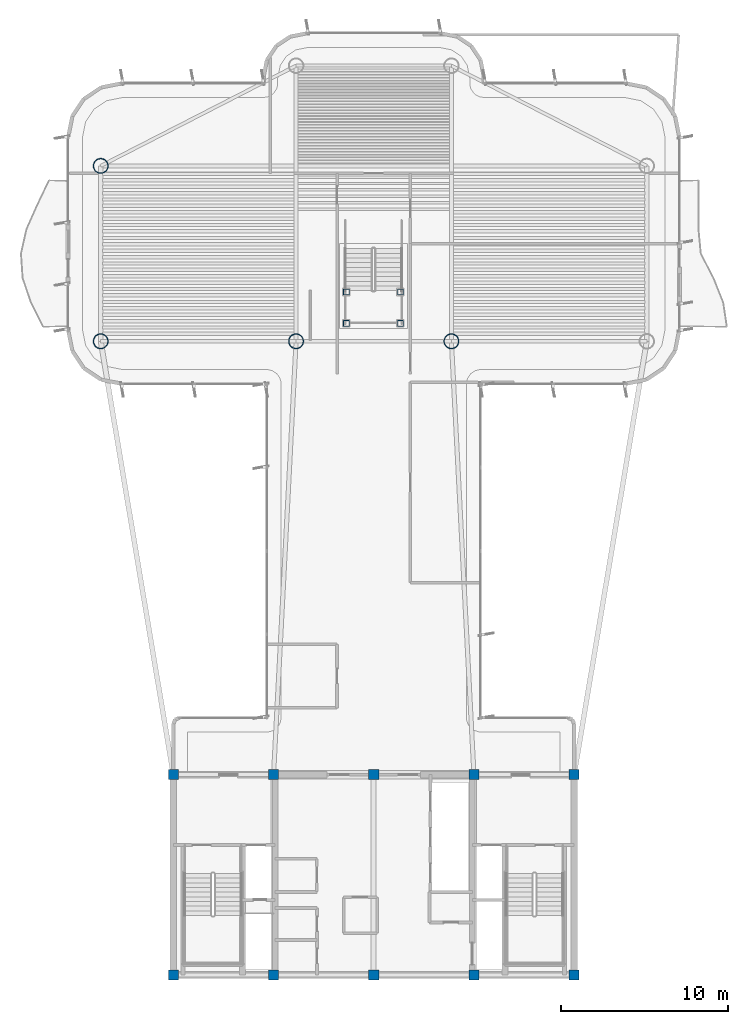
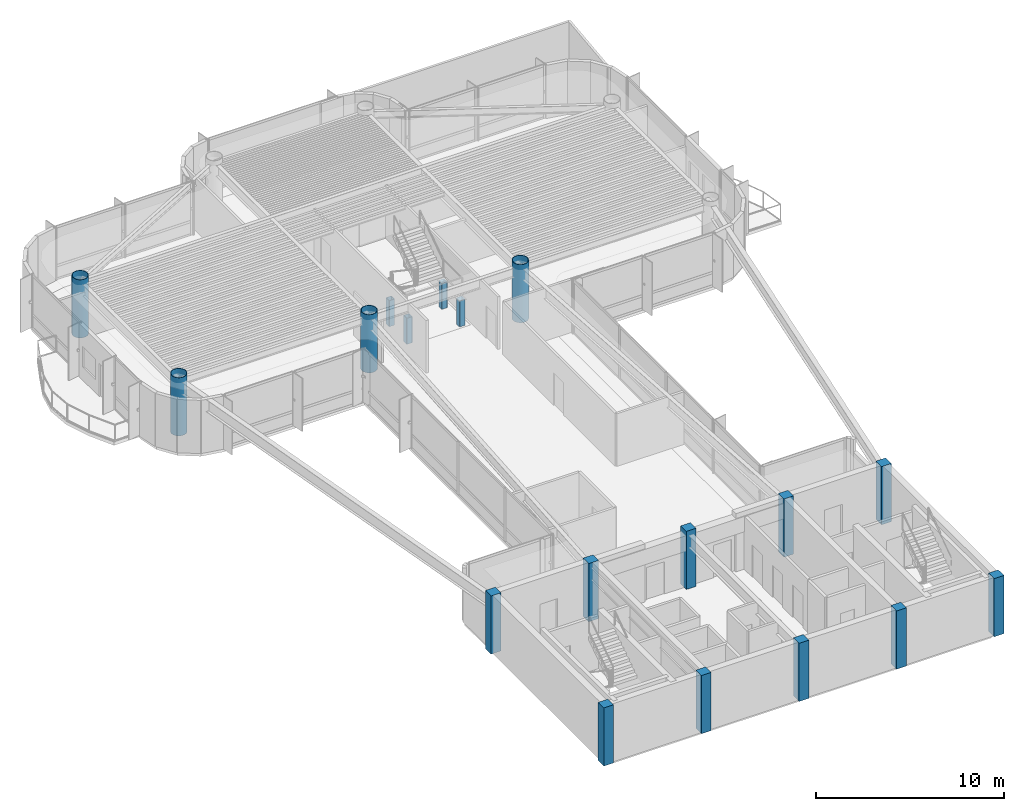
# One storey, part 1 of 17: 18 columns.
"""IFC4 building model written with IfcOpenShell, lengths in metres."""

from ifc_helpers import new_model, si_unit, direction, frame, origin, origin_2d, place, context, subcontext, project, spatial, rectangle, hollow_rectangle, hollow_circle, extrude, source, transform, mapped, material, material_profile, profile_set, type_object, element, save


model = new_model("IFC4")

# Units and contexts
model_context = context("Model", 3, precision=1e-05, world=origin(), true_north=direction((0.0, 1.0)))
body_context = subcontext(model_context, "Body", "Model", "MODEL_VIEW")
ifc_project = project(units=[si_unit("LENGTHUNIT", "METRE"), si_unit("AREAUNIT", "SQUARE_METRE"), si_unit("VOLUMEUNIT", "CUBIC_METRE"), si_unit("PLANEANGLEUNIT", "RADIAN"), si_unit("MASSUNIT", "GRAM", prefix="KILO")], contexts=[model_context])

# Site, building, storey
site_placement = place(None, origin())
site = spatial("IfcSite", under=ifc_project, at=site_placement, CompositionType="ELEMENT")
building_placement = place(site_placement, origin())
building = spatial("IfcBuilding", under=site, at=building_placement, Name="Brelvock Crest Care Tower", CompositionType="ELEMENT")
storey_placement = place(building_placement, frame((0.0, 0.0, 287.280029296875)))
storey = spatial("IfcBuildingStorey", under=building, at=storey_placement, Name="L73", CompositionType="ELEMENT", Elevation=287.280029296875)

# Columns
ifc_material_1 = material(Name="Concrete S65 (65 MPa)", Category="concrete")
ifc_material_profile_1 = material_profile(ifc_material_1, rectangle(XDim=0.60009765625, YDim=0.60009765625, at=origin_2d()), Name="RC600x600")
ifc_profile_set_1 = profile_set([ifc_material_profile_1], Name="Concrete S65 (65 MPa)")
column_type_1 = type_object("IfcColumnType", Name="COL-RC4", PredefinedType="COLUMN", material=ifc_profile_set_1)
shared_shape_1 = source(origin(), body_context, "Body", "SweptSolid", [
    extrude(rectangle(XDim=0.60009765625, YDim=0.60009765625, at=origin_2d()), origin(), (0.0, 0.0, 1.0), 3.780029296875),
])
for number, where, z_axis, x_axis, name in (
    (1, (24.0, 6.0, 0.0), (0.0, 0.0, 1.0), (1.0, 0.0, 0.0), "L73 Core Column CC-01"),
    (2, (30.0, 6.0, 0.0), (0.0, 0.0, 1.0), (1.0, 0.0, 0.0), "L73 Core Column CC-02"),
    (3, (36.0, 6.0, 0.0), (0.0, 0.0, 1.0), (1.0, 0.0, 0.0), "L73 Core Column CC-03"),
    (4, (42.0, 6.0, 0.0), (0.0, 0.0, 1.0), (1.0, 0.0, 0.0), "L73 Core Column CC-04"),
    (5, (48.0, 6.0, 0.0), (0.0, 0.0, 1.0), (1.0, 0.0, 0.0), "L73 Core Column CC-05"),
    (6, (24.0, 18.0, 0.0), (0.0, 0.0, 1.0), (1.0, 0.0, 0.0), "L73 Core Column CC-06"),
    (7, (30.0, 18.0, 0.0), (0.0, 0.0, 1.0), (1.0, 0.0, 0.0), "L73 Core Column CC-07"),
    (8, (36.0, 18.0, 0.0), (0.0, 0.0, 1.0), (1.0, 0.0, 0.0), "L73 Core Column CC-08"),
    (9, (42.0, 18.0, 0.0), (0.0, 0.0, 1.0), (1.0, 0.0, 0.0), "L73 Core Column CC-09"),
    (10, (48.0, 18.0, 0.0), (0.0, 0.0, 1.0), (1.0, 0.0, 0.0), "L73 Core Column CC-10"),
):
    element("IfcColumn", number, at=place(storey_placement, frame(where, z_axis=z_axis, x_axis=x_axis)), inside=storey, type_object=column_type_1, Name=name, PredefinedType="COLUMN", context=body_context, shape_type="MappedRepresentation", body=[
        mapped(shared_shape_1, transform((0.0, 0.0, 0.0), x_axis=(1.0, 0.0, 0.0), y_axis=(0.0, 1.0, 0.0), z_axis=(0.0, 0.0, 1.0), scale=1.0)),
    ])
ifc_material_2 = material(Name="Steel Grade 350", Category="steel")
ifc_material_profile_2 = material_profile(ifc_material_2, hollow_circle(Radius=0.449951171875, WallThickness=0.031982421875, at=origin_2d()), Name="CFT900x32")
ifc_profile_set_2 = profile_set([ifc_material_profile_2], Name="Steel Grade 350")
column_type_2 = type_object("IfcColumnType", Name="COL-MC4", PredefinedType="COLUMN", material=ifc_profile_set_2)
shared_shape_2 = source(origin(), body_context, "Body", "SweptSolid", [
    extrude(hollow_circle(Radius=0.449951171875, WallThickness=0.031982421875, at=origin_2d()), origin(), (0.0, 0.0, 1.0), 3.780029296875),
])
for number, where, z_axis, x_axis, name in (
    (11, (19.64990234375, 43.949951171875, 0.0), (0.0, 0.0, 1.0), (1.0, 0.0, 0.0), "L73 Tower Column M1"),
    (12, (19.64990234375, 54.449951171875, 0.0), (0.0, 0.0, 1.0), (1.0, 0.0, 0.0), "L73 Tower Column M2"),
    (13, (31.35009765625, 43.949951171875, 0.0), (0.0, 0.0, 1.0), (1.0, 0.0, 0.0), "L73 Tower Column M5"),
    (14, (40.64990234375, 43.949951171875, 0.0), (0.0, 0.0, 1.0), (1.0, 0.0, 0.0), "L73 Tower Column M6"),
):
    element("IfcColumn", number, at=place(storey_placement, frame(where, z_axis=z_axis, x_axis=x_axis)), inside=storey, type_object=column_type_2, Name=name, PredefinedType="COLUMN", context=body_context, shape_type="MappedRepresentation", body=[
        mapped(shared_shape_2, transform((0.0, 0.0, 0.0), x_axis=(1.0, 0.0, 0.0), y_axis=(0.0, 1.0, 0.0), z_axis=(0.0, 0.0, 1.0), scale=1.0)),
    ])
ifc_material_profile_3 = material_profile(ifc_material_2, hollow_rectangle(XDim=0.35009765625, YDim=0.35009765625, WallThickness=0.01611328125, OuterFilletRadius=0.031982421875, at=origin_2d()), Name="SHS350x350x16.0")
ifc_profile_set_3 = profile_set([ifc_material_profile_3], Name="Steel Grade 350")
column_type_3 = type_object("IfcColumnType", Name="COL-CR2", PredefinedType="COLUMN", material=ifc_profile_set_3)
shared_shape_3 = source(origin(), body_context, "Body", "SweptSolid", [
    extrude(hollow_rectangle(XDim=0.35009765625, YDim=0.35009765625, WallThickness=0.01611328125, OuterFilletRadius=0.031982421875, at=origin_2d()), origin(), (0.0, 0.0, 1.0), 1.68994140625),
])
for number, where, z_axis, x_axis, name in (
    (15, (34.360107421875, 45.02001953125, 0.0), (0.0, 0.0, 1.0), (1.0, 0.0, 0.0), "L73 Observation Stair ST-6 Landing Post SW"),
    (16, (37.60009765625, 45.02001953125, 0.0), (0.0, 0.0, 1.0), (1.0, 0.0, 0.0), "L73 Observation Stair ST-6 Landing Post SE"),
    (17, (34.360107421875, 46.89990234375, 0.0), (0.0, 0.0, 1.0), (1.0, 0.0, 0.0), "L73 Observation Stair ST-6 Landing Post NW"),
    (18, (37.60009765625, 46.89990234375, 0.0), (0.0, 0.0, 1.0), (1.0, 0.0, 0.0), "L73 Observation Stair ST-6 Landing Post NE"),
):
    element("IfcColumn", number, at=place(storey_placement, frame(where, z_axis=z_axis, x_axis=x_axis)), inside=storey, type_object=column_type_3, Name=name, PredefinedType="COLUMN", context=body_context, shape_type="MappedRepresentation", body=[
        mapped(shared_shape_3, transform((0.0, 0.0, 0.0), x_axis=(1.0, 0.0, 0.0), y_axis=(0.0, 1.0, 0.0), z_axis=(0.0, 0.0, 1.0), scale=1.0)),
    ])

save(model, "model.ifc")
